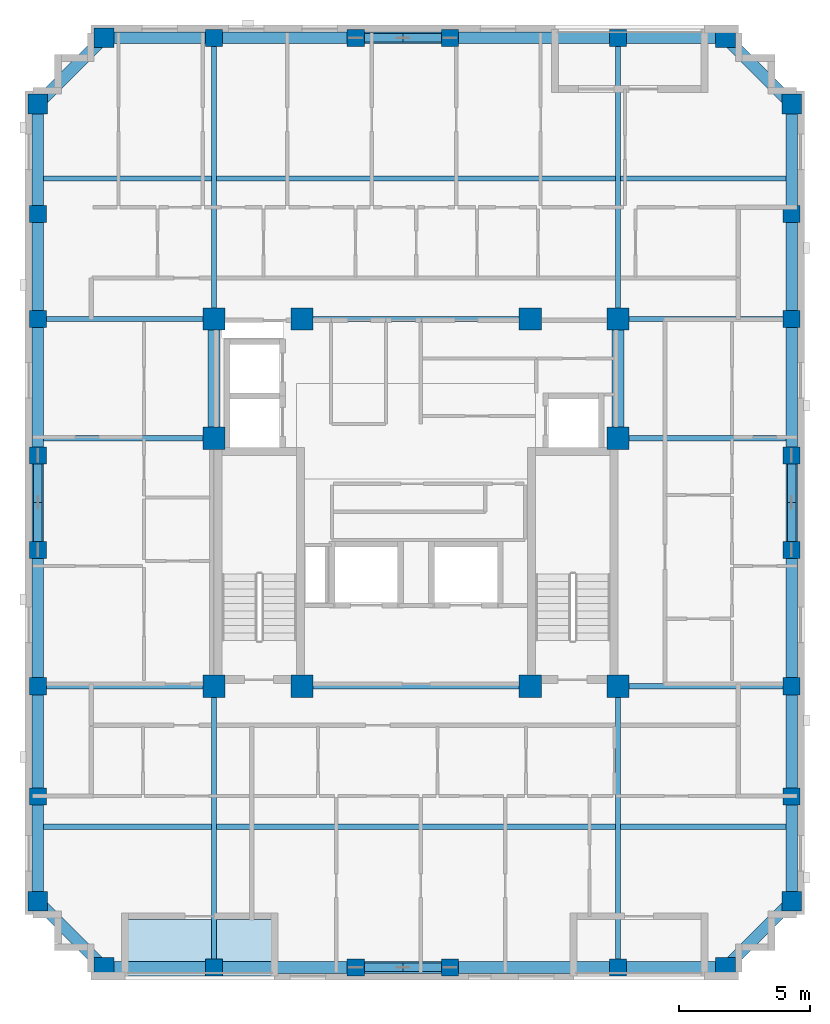
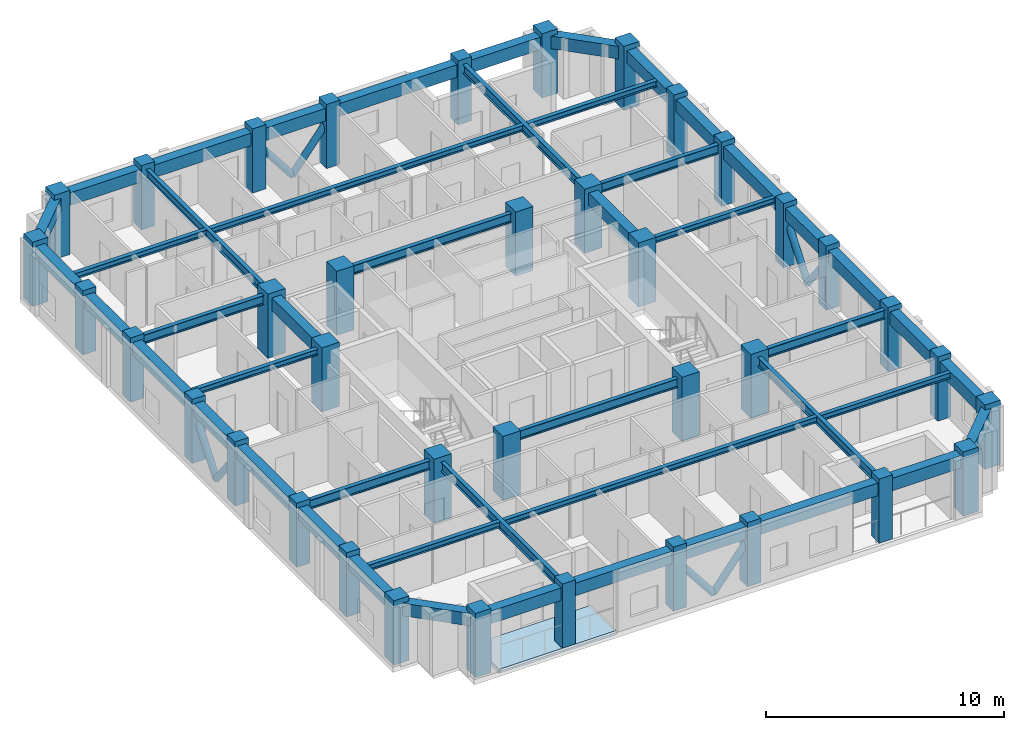
# One storey, part 1 of 11: 48 beams, 38 columns, 8 members, 1 slab.
"""IFC4 building model written with IfcOpenShell, lengths in metres."""

import ifcopenshell
import ifcopenshell.guid

model = None  # the IFC model being written
_history = None  # IfcOwnerHistory: only IFC2X3 demands one
_inside = {}  # id of a spatial element -> (the spatial element, [elements in it])
_under = {}  # id of a project, library or spatial element -> (it, [spatial elements below it])
_declared = {}  # id of a project -> (the project, [libraries it declares])
_typed = {}  # id of a type object -> (the type object, [elements of that type])
_made_of = {}  # id of a material, layer set ... -> (it, [elements and type objects made of it])


def new_model(schema):
    """Start an empty IFC model of exactly this schema.

    Asked for "IFC4X3", IfcOpenShell would pick the latest addendum, in which some entities
    have other attributes; the version numbers below select the first issue.
    IFC2X3 requires an IfcOwnerHistory on every rooted entity: one is made here for all.
    """
    global model, _history
    if schema == "IFC4X3":
        model = ifcopenshell.file(schema_version=(4, 3, 0, 0))
    else:
        model = ifcopenshell.file(schema=schema)
    _inside.clear()
    _under.clear()
    _declared.clear()
    _typed.clear()
    _made_of.clear()
    _history = None
    if model.schema == "IFC2X3":
        org = make("IfcOrganization", Name="unknown")
        user = make(
            "IfcPersonAndOrganization",
            ThePerson=make("IfcPerson", FamilyName="unknown"),
            TheOrganization=org,
        )
        app = make(
            "IfcApplication",
            ApplicationDeveloper=org,
            Version="unknown",
            ApplicationFullName="unknown",
            ApplicationIdentifier="unknown",
        )
        _history = make(
            "IfcOwnerHistory",
            OwningUser=user,
            OwningApplication=app,
            ChangeAction="ADDED",
            CreationDate=0,
        )
    return model


def make(cls, **values):
    """One entity of the class cls with the attributes given. An attribute that is None is left unset."""
    return model.create_entity(
        cls, **{name: value for name, value in values.items() if value is not None}
    )


def rooted(cls, **values):
    """An entity with a GlobalId (a new one), such as an element, a storey or a relation."""
    return make(cls, GlobalId=ifcopenshell.guid.new(), OwnerHistory=_history, **values)


def si_unit(unit_type, name, prefix=None):
    """IfcSIUnit, for example si_unit("LENGTHUNIT", "METRE", prefix="MILLI")."""
    return make("IfcSIUnit", UnitType=unit_type, Prefix=prefix, Name=name)


def derived_unit(unit_type, elements):
    """IfcDerivedUnit: a product of units, each with its exponent."""
    return make(
        "IfcDerivedUnit",
        Elements=[
            make("IfcDerivedUnitElement", Unit=unit, Exponent=power)
            for unit, power in elements
        ],
        UnitType=unit_type,
    )


def assignment(units):
    """IfcUnitAssignment: the units of a project."""
    return None if units is None else make("IfcUnitAssignment", Units=units)


def point(xyz):
    """IfcCartesianPoint."""
    return None if xyz is None else make("IfcCartesianPoint", Coordinates=xyz)


def direction(xyz):
    """IfcDirection."""
    return None if xyz is None else make("IfcDirection", DirectionRatios=xyz)


def frame(location, z_axis=None, x_axis=None):
    """IfcAxis2Placement3D, a coordinate frame: its origin and axes. An axis left out is left unset."""
    return make(
        "IfcAxis2Placement3D",
        Location=point(location),
        Axis=direction(z_axis),
        RefDirection=direction(x_axis),
    )


def frame_2d(location, x_axis=None):
    """IfcAxis2Placement2D, a coordinate frame in the plane: its origin and x axis."""
    return make(
        "IfcAxis2Placement2D", Location=point(location), RefDirection=direction(x_axis)
    )


def origin():
    """The frame at (0, 0, 0) with its axes left unset."""
    return frame((0.0, 0.0, 0.0))


def origin_2d():
    """The frame at (0, 0) in the plane with its x axis left unset."""
    return frame_2d((0.0, 0.0))


def place(relative_to, where):
    """IfcLocalPlacement: puts the frame where relative to a parent placement (None: the world)."""
    return make(
        "IfcLocalPlacement", PlacementRelTo=relative_to, RelativePlacement=where
    )


def context(
    kind, dimensions, precision=None, world=None, true_north=None, identifier=None
):
    """IfcGeometricRepresentationContext, for example the 3D "Model" context."""
    return make(
        "IfcGeometricRepresentationContext",
        ContextIdentifier=identifier,
        ContextType=kind,
        CoordinateSpaceDimension=dimensions,
        Precision=precision,
        WorldCoordinateSystem=world,
        TrueNorth=true_north,
    )


def subcontext(parent, identifier, kind, view, scale=None):
    """IfcGeometricRepresentationSubContext, for example "Body" below "Model"."""
    return make(
        "IfcGeometricRepresentationSubContext",
        ContextIdentifier=identifier,
        ContextType=kind,
        ParentContext=parent,
        TargetScale=scale,
        TargetView=view,
    )


def project(units=None, contexts=None):
    """IfcProject with its units and contexts."""
    return rooted(
        "IfcProject",
        Name="project",
        RepresentationContexts=contexts,
        UnitsInContext=assignment(units),
    )


def spatial(cls, under=None, at=None, **own):
    """A site, building, storey or space (cls), placed at a placement, below another one or the project."""
    s = rooted(cls, ObjectPlacement=at, **own)
    if under is not None:
        _under.setdefault(under.id(), (under, []))[1].append(s)
    return s


def polyline(points):
    """IfcPolyline through the points."""
    return make("IfcPolyline", Points=[point(p) for p in points])


def profile(cls, at=None, kind="AREA", **sizes):
    """A parametric profile (cls). Its sizes go by their IFC names, for example OverallWidth=200.0."""
    return make(cls, ProfileType=kind, Position=at, **sizes)


def rectangle(**sizes):
    """IfcRectangleProfileDef."""
    return profile("IfcRectangleProfileDef", **sizes)


def hollow_circle(**sizes):
    """IfcCircleHollowProfileDef."""
    return profile("IfcCircleHollowProfileDef", **sizes)


def i_section(**sizes):
    """IfcIShapeProfileDef."""
    return profile("IfcIShapeProfileDef", **sizes)


def outline(outer, holes=None, kind="AREA"):
    """IfcArbitraryClosedProfileDef: a profile drawn as a closed curve; with holes, ...WithVoids."""
    if holes is None:
        return make("IfcArbitraryClosedProfileDef", ProfileType=kind, OuterCurve=outer)
    return make(
        "IfcArbitraryProfileDefWithVoids",
        ProfileType=kind,
        OuterCurve=outer,
        InnerCurves=holes,
    )


def extrude(swept, where, along, depth):
    """IfcExtrudedAreaSolid: the profile swept, set in the frame where, extruded along a direction by depth."""
    return make(
        "IfcExtrudedAreaSolid",
        SweptArea=swept,
        Position=where,
        ExtrudedDirection=direction(along),
        Depth=depth,
    )


def shape(context_of_items, identifier, shape_type, items):
    """IfcShapeRepresentation: the items that make up one representation, for example the "Body"."""
    return make(
        "IfcShapeRepresentation",
        ContextOfItems=context_of_items,
        RepresentationIdentifier=identifier,
        RepresentationType=shape_type,
        Items=items,
    )


def material(Name=None, Category=None):
    """IfcMaterial."""
    return make("IfcMaterial", Name=Name, Category=Category)


def layer(
    of_material, thickness, ventilated=None, Name=None, Category=None, Priority=None
):
    """IfcMaterialLayer: one layer of a wall or slab, of a material (None: an air gap)."""
    return make(
        "IfcMaterialLayer",
        Material=of_material,
        LayerThickness=thickness,
        IsVentilated=ventilated,
        Name=Name,
        Category=Category,
        Priority=Priority,
    )


def layer_set(layers, Name=None):
    """IfcMaterialLayerSet."""
    return make("IfcMaterialLayerSet", MaterialLayers=layers, LayerSetName=Name)


def material_profile(
    of_material, cross_section, Name=None, Category=None, Priority=None
):
    """IfcMaterialProfile: a cross section and its material."""
    return make(
        "IfcMaterialProfile",
        Name=Name,
        Material=of_material,
        Profile=cross_section,
        Priority=Priority,
        Category=Category,
    )


def profile_set(profiles, Name=None, composite=None):
    """IfcMaterialProfileSet."""
    return make(
        "IfcMaterialProfileSet",
        Name=Name,
        MaterialProfiles=profiles,
        CompositeProfile=composite,
    )


def made_of(thing, what):
    """Note that an element or type object is made of a material, layer set ...; save() writes the relation."""
    if what is not None:
        _made_of.setdefault(what.id(), (what, []))[1].append(thing)
    return thing


def type_object(cls, material=None, **own):
    """A type object (cls), such as IfcWallType, which elements share."""
    return made_of(rooted(cls, **own), material)


def element(
    cls,
    number,
    at=None,
    inside=None,
    cuts=None,
    type_object=None,
    material=None,
    context=None,
    identifier="Body",
    shape_type=None,
    held_by="IfcProductDefinitionShape",
    body=None,
    shapes=None,
    **own,
):
    """One element of the class cls, such as IfcWall. Its Tag is "e" and its number.

    at: its placement. inside: the storey or other place that contains it. cuts: it is an
    opening in that element (IfcRelVoidsElement). A single representation is given by context,
    identifier, shape_type and body (its items); several are given by shapes. held_by: the class
    of the entity that holds the representations. save() writes the other relations.
    """
    e = rooted(cls, Tag="e%d" % number, ObjectPlacement=at, **own)
    if body is not None:
        shapes = [shape(context, identifier, shape_type, body)]
    if shapes is not None:
        e.Representation = make(held_by, Representations=shapes)
    if inside is not None:
        _inside.setdefault(inside.id(), (inside, []))[1].append(e)
    if cuts is not None:
        rooted(
            "IfcRelVoidsElement", RelatingBuildingElement=cuts, RelatedOpeningElement=e
        )
    if type_object is not None:
        _typed.setdefault(type_object.id(), (type_object, []))[1].append(e)
    return made_of(e, material)


def aggregate(whole, parts):
    """IfcRelAggregates: a whole, such as a stair, and the parts it consists of."""
    return rooted("IfcRelAggregates", RelatingObject=whole, RelatedObjects=parts)


def save(model, path):
    """Write the relations noted so far, then the file.

    IfcRelAggregates (storeys below a building ...), IfcRelContainedInSpatialStructure (elements
    in a storey), IfcRelDefinesByType, IfcRelAssociatesMaterial and IfcRelDeclares: one each for
    every whole, place, type object, material and project.
    """
    for whole, parts in _under.values():
        aggregate(whole, parts)
    for where, things in _inside.values():
        rooted(
            "IfcRelContainedInSpatialStructure",
            RelatedElements=things,
            RelatingStructure=where,
        )
    for kind, things in _typed.values():
        rooted("IfcRelDefinesByType", RelatedObjects=things, RelatingType=kind)
    for what, things in _made_of.values():
        rooted("IfcRelAssociatesMaterial", RelatedObjects=things, RelatingMaterial=what)
    for by, libraries in _declared.values():
        rooted("IfcRelDeclares", RelatingContext=by, RelatedDefinitions=libraries)
    model.write(path)


model = new_model("IFC4")

# Units and contexts
model_context = context("Model", 3, precision=1e-05, world=origin(), true_north=direction((0.0, 1.0)))
body_context = subcontext(model_context, "Body", "Model", "MODEL_VIEW")
ifc_project = project(units=[si_unit("LENGTHUNIT", "METRE"), si_unit("AREAUNIT", "SQUARE_METRE"), si_unit("VOLUMEUNIT", "CUBIC_METRE"), si_unit("PLANEANGLEUNIT", "RADIAN"), si_unit("MASSUNIT", "GRAM", prefix="KILO"), derived_unit("THERMALTRANSMITTANCEUNIT", [(si_unit("MASSUNIT", "GRAM", prefix="KILO"), 1), (si_unit("TIMEUNIT", "SECOND"), -3), (si_unit("THERMODYNAMICTEMPERATUREUNIT", "KELVIN"), -1)])], contexts=[model_context])

# Site, building, storey
site_placement = place(None, origin())
site = spatial("IfcSite", under=ifc_project, at=site_placement, CompositionType="ELEMENT")
building_placement = place(site_placement, origin())
building = spatial("IfcBuilding", under=site, at=building_placement, Name="Korrvale Station Residences", CompositionType="ELEMENT")
storey_placement = place(building_placement, frame((0.0, 0.0, 197.5)))
storey = spatial("IfcBuildingStorey", under=building, at=storey_placement, Name="L57", CompositionType="ELEMENT", Elevation=197.5)

# Columns
ifc_material_1 = material(Name="Concrete C50/60", Category="concrete")
ifc_material_profile_1 = material_profile(ifc_material_1, rectangle(XDim=0.64990234375, YDim=0.64990234375, at=origin_2d()), Name="RC650x650")
ifc_profile_set_1 = profile_set([ifc_material_profile_1], Name="Concrete C50/60")
column_type_1 = type_object("IfcColumnType", Name="COL-C-RC650x650-C5060", PredefinedType="COLUMN", material=ifc_profile_set_1)
for number, where, z_axis, x_axis, name in (
    (1, (17.800048828125, 4.280029296875, 0.0), (0.0, 0.0, 1.0), (1.0, 0.0, 0.0), "L57 Bundled-Tube South Column 02"),
    (2, (23.199951171875, 4.280029296875, 0.0), (0.0, 0.0, 1.0), (1.0, 0.0, 0.0), "L57 Bundled-Tube South Column 03"),
    (3, (26.800048828125, 4.280029296875, 0.0), (0.0, 0.0, 1.0), (1.0, 0.0, 0.0), "L57 Bundled-Tube South Column 04"),
    (4, (33.199951171875, 4.280029296875, 0.0), (0.0, 0.0, 1.0), (1.0, 0.0, 0.0), "L57 Bundled-Tube South Column 05"),
    (5, (17.800048828125, 39.719970703125, 0.0), (0.0, 0.0, 1.0), (1.0, 0.0, 0.0), "L57 Bundled-Tube North Column 08"),
    (6, (23.199951171875, 39.719970703125, 0.0), (0.0, 0.0, 1.0), (1.0, 0.0, 0.0), "L57 Bundled-Tube North Column 09"),
    (7, (26.800048828125, 39.719970703125, 0.0), (0.0, 0.0, 1.0), (1.0, 0.0, 0.0), "L57 Bundled-Tube North Column 10"),
    (8, (33.199951171875, 39.719970703125, 0.0), (0.0, 0.0, 1.0), (1.0, 0.0, 0.0), "L57 Bundled-Tube North Column 11"),
    (9, (11.080078125, 10.800048828125, 0.0), (0.0, 0.0, 1.0), (1.0, 0.0, 0.0), "L57 Bundled-Tube West Column 14"),
    (10, (11.080078125, 15.0, 0.0), (0.0, 0.0, 1.0), (1.0, 0.0, 0.0), "L57 Bundled-Tube West Column 15"),
    (11, (11.080078125, 20.199951171875, 0.0), (0.0, 0.0, 1.0), (1.0, 0.0, 0.0), "L57 Bundled-Tube West Column 16"),
    (12, (11.080078125, 23.800048828125, 0.0), (0.0, 0.0, 1.0), (1.0, 0.0, 0.0), "L57 Bundled-Tube West Column 17"),
    (13, (11.080078125, 29.0, 0.0), (0.0, 0.0, 1.0), (1.0, 0.0, 0.0), "L57 Bundled-Tube West Column 18"),
    (14, (11.080078125, 33.0, 0.0), (0.0, 0.0, 1.0), (1.0, 0.0, 0.0), "L57 Bundled-Tube West Column 19"),
    (15, (39.820068359375, 10.800048828125, 0.0), (0.0, 0.0, 1.0), (1.0, 0.0, 0.0), "L57 Bundled-Tube East Column 22"),
    (16, (39.820068359375, 15.0, 0.0), (0.0, 0.0, 1.0), (1.0, 0.0, 0.0), "L57 Bundled-Tube East Column 23"),
    (17, (39.820068359375, 20.199951171875, 0.0), (0.0, 0.0, 1.0), (1.0, 0.0, 0.0), "L57 Bundled-Tube East Column 24"),
    (18, (39.820068359375, 23.800048828125, 0.0), (0.0, 0.0, 1.0), (1.0, 0.0, 0.0), "L57 Bundled-Tube East Column 25"),
    (19, (39.820068359375, 29.0, 0.0), (0.0, 0.0, 1.0), (1.0, 0.0, 0.0), "L57 Bundled-Tube East Column 26"),
    (20, (39.820068359375, 33.0, 0.0), (0.0, 0.0, 1.0), (1.0, 0.0, 0.0), "L57 Bundled-Tube East Column 27"),
):
    element("IfcColumn", number, at=place(storey_placement, frame(where, z_axis=z_axis, x_axis=x_axis)), inside=storey, type_object=column_type_1, Name=name, PredefinedType="COLUMN", context=body_context, shape_type="SweptSolid", body=[
        extrude(rectangle(XDim=0.64990234375, YDim=0.64990234375, at=origin_2d()), origin(), (0.0, 0.0, 1.0), 3.300048828125),
    ])
ifc_material_profile_2 = material_profile(ifc_material_1, rectangle(XDim=0.75, YDim=0.75, at=origin_2d()), Name="RC750x750")
ifc_profile_set_2 = profile_set([ifc_material_profile_2], Name="Concrete C50/60")
column_type_2 = type_object("IfcColumnType", Name="COL-C-RC750x750-C5060", PredefinedType="COLUMN", material=ifc_profile_set_2)
for number, where, z_axis, x_axis, name in (
    (21, (13.60009765625, 4.280029296875, 0.0), (0.0, 0.0, 1.0), (1.0, 0.0, 0.0), "L57 Bundled-Tube South Column 01"),
    (22, (37.300048828125, 4.280029296875, 0.0), (0.0, 0.0, 1.0), (1.0, 0.0, 0.0), "L57 Bundled-Tube South Column 06"),
    (23, (13.60009765625, 39.719970703125, 0.0), (0.0, 0.0, 1.0), (1.0, 0.0, 0.0), "L57 Bundled-Tube North Column 07"),
    (24, (37.300048828125, 39.719970703125, 0.0), (0.0, 0.0, 1.0), (1.0, 0.0, 0.0), "L57 Bundled-Tube North Column 12"),
    (25, (11.080078125, 6.800048828125, 0.0), (0.0, 0.0, 1.0), (1.0, 0.0, 0.0), "L57 Bundled-Tube West Column 13"),
    (26, (11.080078125, 37.199951171875, 0.0), (0.0, 0.0, 1.0), (1.0, 0.0, 0.0), "L57 Bundled-Tube West Column 20"),
    (27, (39.820068359375, 6.800048828125, 0.0), (0.0, 0.0, 1.0), (1.0, 0.0, 0.0), "L57 Bundled-Tube East Column 21"),
    (28, (39.820068359375, 37.199951171875, 0.0), (0.0, 0.0, 1.0), (1.0, 0.0, 0.0), "L57 Bundled-Tube East Column 28"),
):
    element("IfcColumn", number, at=place(storey_placement, frame(where, z_axis=z_axis, x_axis=x_axis)), inside=storey, type_object=column_type_2, Name=name, PredefinedType="COLUMN", context=body_context, shape_type="SweptSolid", body=[
        extrude(rectangle(XDim=0.75, YDim=0.75, at=origin_2d()), origin(), (0.0, 0.0, 1.0), 3.300048828125),
    ])
ifc_material_profile_3 = material_profile(ifc_material_1, rectangle(XDim=0.85009765625, YDim=0.85009765625, at=origin_2d()), Name="RC850x850")
ifc_profile_set_3 = profile_set([ifc_material_profile_3], Name="Concrete C50/60")
column_type_3 = type_object("IfcColumnType", Name="COL-C-RC850x850-C5060", PredefinedType="COLUMN", material=ifc_profile_set_3)
for number, where, z_axis, x_axis, name in (
    (29, (17.800048828125, 15.0, 0.0), (0.0, 0.0, 1.0), (1.0, 0.0, 0.0), "L57 Core Column 01"),
    (30, (21.14990234375, 15.0, 0.0), (0.0, 0.0, 1.0), (1.0, 0.0, 0.0), "L57 Core Column 02"),
    (31, (29.85009765625, 15.0, 0.0), (0.0, 0.0, 1.0), (1.0, 0.0, 0.0), "L57 Core Column 03"),
    (32, (33.199951171875, 15.0, 0.0), (0.0, 0.0, 1.0), (1.0, 0.0, 0.0), "L57 Core Column 04"),
    (33, (17.800048828125, 29.0, 0.0), (0.0, 0.0, 1.0), (1.0, 0.0, 0.0), "L57 Core Column 05"),
    (34, (21.14990234375, 29.0, 0.0), (0.0, 0.0, 1.0), (1.0, 0.0, 0.0), "L57 Core Column 06"),
    (35, (29.85009765625, 29.0, 0.0), (0.0, 0.0, 1.0), (1.0, 0.0, 0.0), "L57 Core Column 07"),
    (36, (33.199951171875, 29.0, 0.0), (0.0, 0.0, 1.0), (1.0, 0.0, 0.0), "L57 Core Column 08"),
    (37, (17.800048828125, 24.449951171875, 0.0), (0.0, 0.0, 1.0), (1.0, 0.0, 0.0), "L57 Core Column 09"),
    (38, (33.199951171875, 24.449951171875, 0.0), (0.0, 0.0, 1.0), (1.0, 0.0, 0.0), "L57 Core Column 10"),
):
    element("IfcColumn", number, at=place(storey_placement, frame(where, z_axis=z_axis, x_axis=x_axis)), inside=storey, type_object=column_type_3, Name=name, PredefinedType="COLUMN", context=body_context, shape_type="SweptSolid", body=[
        extrude(rectangle(XDim=0.85009765625, YDim=0.85009765625, at=origin_2d()), origin(), (0.0, 0.0, 1.0), 3.300048828125),
    ])

# Beams
ifc_material_2 = material(Name="Steel S355", Category="steel")
ifc_material_profile_4 = material_profile(ifc_material_2, i_section(OverallWidth=0.194091796875, OverallDepth=0.468994140625, WebThickness=0.0126953125, FlangeThickness=0.0205078125, FilletRadius=0.01611328125, at=origin_2d()), Name="W460x106")
ifc_profile_set_4 = profile_set([ifc_material_profile_4], Name="Steel S355")
beam_type_1 = type_object("IfcBeamType", Name="BM-BM-W460x106-S355", PredefinedType="BEAM", material=ifc_profile_set_4)
for number, where, z_axis, x_axis, name in (
    (39, (17.800048828125, 4.280029296875, 2.805419921875), (0.0, 1.0, 0.0), (-1.0, 0.0, 0.0), "L57 Bundled-Tube Web Girder 01"),
    (40, (33.199951171875, 4.280029296875, 2.805419921875), (0.0, 1.0, 0.0), (-1.0, 0.0, 0.0), "L57 Bundled-Tube Web Girder 02"),
    (41, (17.800048828125, 29.0, 2.805419921875), (0.0, 1.0, 0.0), (-1.0, 0.0, 0.0), "L57 Bundled-Tube Web Girder 03"),
    (42, (33.199951171875, 29.0, 2.805419921875), (0.0, 1.0, 0.0), (-1.0, 0.0, 0.0), "L57 Bundled-Tube Web Girder 04"),
):
    element("IfcBeam", number, at=place(storey_placement, frame(where, z_axis=z_axis, x_axis=x_axis)), inside=storey, type_object=beam_type_1, Name=name, PredefinedType="BEAM", context=body_context, shape_type="SweptSolid", body=[
        extrude(i_section(OverallWidth=0.194091796875, OverallDepth=0.468994140625, WebThickness=0.0126953125, FlangeThickness=0.0205078125, FilletRadius=0.01611328125, at=origin_2d()), origin(), (0.0, 0.0, 1.0), 10.719970703125),
    ])
beam_1_placement = place(storey_placement, frame((11.080078125, 15.0, 2.805419921875), z_axis=(1.0, 0.0, 0.0), x_axis=(0.0, 1.0, 0.0)))
element("IfcBeam", 43, at=beam_1_placement, inside=storey, type_object=beam_type_1, Name="L57 Bundled-Tube Web Girder 05", PredefinedType="BEAM", context=body_context, shape_type="SweptSolid", body=[
    extrude(i_section(OverallWidth=0.194091796875, OverallDepth=0.468994140625, WebThickness=0.0126953125, FlangeThickness=0.0205078125, FilletRadius=0.01611328125, at=origin_2d()), origin(), (0.0, 0.0, 1.0), 6.719970703125),
])
beam_2_placement = place(storey_placement, frame((33.199951171875, 15.0, 2.805419921875), z_axis=(1.0, 0.0, 0.0), x_axis=(0.0, 1.0, 0.0)))
element("IfcBeam", 44, at=beam_2_placement, inside=storey, type_object=beam_type_1, Name="L57 Bundled-Tube Web Girder 06", PredefinedType="BEAM", context=body_context, shape_type="SweptSolid", body=[
    extrude(i_section(OverallWidth=0.194091796875, OverallDepth=0.468994140625, WebThickness=0.0126953125, FlangeThickness=0.0205078125, FilletRadius=0.01611328125, at=origin_2d()), origin(), (0.0, 0.0, 1.0), 6.6201171875),
])
beam_3_placement = place(storey_placement, frame((11.080078125, 29.0, 2.805419921875), z_axis=(1.0, 0.0, 0.0), x_axis=(0.0, 1.0, 0.0)))
element("IfcBeam", 45, at=beam_3_placement, inside=storey, type_object=beam_type_1, Name="L57 Bundled-Tube Web Girder 07", PredefinedType="BEAM", context=body_context, shape_type="SweptSolid", body=[
    extrude(i_section(OverallWidth=0.194091796875, OverallDepth=0.468994140625, WebThickness=0.0126953125, FlangeThickness=0.0205078125, FilletRadius=0.01611328125, at=origin_2d()), origin(), (0.0, 0.0, 1.0), 6.719970703125),
])
beam_4_placement = place(storey_placement, frame((33.199951171875, 29.0, 2.805419921875), z_axis=(1.0, 0.0, 0.0), x_axis=(0.0, 1.0, 0.0)))
element("IfcBeam", 46, at=beam_4_placement, inside=storey, type_object=beam_type_1, Name="L57 Bundled-Tube Web Girder 08", PredefinedType="BEAM", context=body_context, shape_type="SweptSolid", body=[
    extrude(i_section(OverallWidth=0.194091796875, OverallDepth=0.468994140625, WebThickness=0.0126953125, FlangeThickness=0.0205078125, FilletRadius=0.01611328125, at=origin_2d()), origin(), (0.0, 0.0, 1.0), 6.6201171875),
])
for number, where, z_axis, x_axis, name in (
    (47, (21.14990234375, 15.0, 2.805419921875), (1.0, 0.0, 0.0), (0.0, 1.0, 0.0), "L57 Bundled-Tube Web Girder 09"),
    (48, (21.14990234375, 29.0, 2.805419921875), (1.0, 0.0, 0.0), (0.0, 1.0, 0.0), "L57 Bundled-Tube Web Girder 10"),
):
    element("IfcBeam", number, at=place(storey_placement, frame(where, z_axis=z_axis, x_axis=x_axis)), inside=storey, type_object=beam_type_1, Name=name, PredefinedType="BEAM", context=body_context, shape_type="SweptSolid", body=[
        extrude(i_section(OverallWidth=0.194091796875, OverallDepth=0.468994140625, WebThickness=0.0126953125, FlangeThickness=0.0205078125, FilletRadius=0.01611328125, at=origin_2d()), origin(), (0.0, 0.0, 1.0), 8.7001953125),
    ])
ifc_material_profile_5 = material_profile(ifc_material_2, i_section(OverallWidth=0.202880859375, OverallDepth=0.302978515625, WebThickness=0.007568359375, FlangeThickness=0.01318359375, FilletRadius=0.014892578125, at=origin_2d()), Name="W310x60")
ifc_profile_set_5 = profile_set([ifc_material_profile_5], Name="Steel S355")
beam_type_2 = type_object("IfcBeamType", Name="BM-JST-W310x60-S355", PredefinedType="JOIST", material=ifc_profile_set_5)
beam_5_placement = place(storey_placement, frame((11.304931640625, 9.639892578125, 2.888427734375), z_axis=(1.0, 0.0, 0.0), x_axis=(0.0, 1.0, 0.0)))
element("IfcBeam", 49, at=beam_5_placement, inside=storey, type_object=beam_type_2, Name="L57 Floor Framing Joist 01", PredefinedType="JOIST", context=body_context, shape_type="SweptSolid", body=[
    extrude(i_section(OverallWidth=0.202880859375, OverallDepth=0.302978515625, WebThickness=0.007568359375, FlangeThickness=0.01318359375, FilletRadius=0.014892578125, at=origin_2d()), origin(), (0.0, 0.0, 1.0), 6.39794921875),
])
beam_6_placement = place(storey_placement, frame((17.89697265625, 9.639892578125, 2.888427734375), z_axis=(1.0, 0.0, 0.0), x_axis=(0.0, 1.0, 0.0)))
element("IfcBeam", 50, at=beam_6_placement, inside=storey, type_object=beam_type_2, Name="L57 Floor Framing Joist 02", PredefinedType="JOIST", context=body_context, shape_type="SweptSolid", body=[
    extrude(i_section(OverallWidth=0.202880859375, OverallDepth=0.302978515625, WebThickness=0.007568359375, FlangeThickness=0.01318359375, FilletRadius=0.014892578125, at=origin_2d()), origin(), (0.0, 0.0, 1.0), 15.2060546875),
])
beam_7_placement = place(storey_placement, frame((33.297119140625, 9.639892578125, 2.888427734375), z_axis=(1.0, 0.0, 0.0), x_axis=(0.0, 1.0, 0.0)))
element("IfcBeam", 51, at=beam_7_placement, inside=storey, type_object=beam_type_2, Name="L57 Floor Framing Joist 03", PredefinedType="JOIST", context=body_context, shape_type="SweptSolid", body=[
    extrude(i_section(OverallWidth=0.202880859375, OverallDepth=0.302978515625, WebThickness=0.007568359375, FlangeThickness=0.01318359375, FilletRadius=0.014892578125, at=origin_2d()), origin(), (0.0, 0.0, 1.0), 6.2978515625),
])
beam_8_placement = place(storey_placement, frame((11.304931640625, 34.360107421875, 2.888427734375), z_axis=(1.0, 0.0, 0.0), x_axis=(0.0, 1.0, 0.0)))
element("IfcBeam", 52, at=beam_8_placement, inside=storey, type_object=beam_type_2, Name="L57 Floor Framing Joist 04", PredefinedType="JOIST", context=body_context, shape_type="SweptSolid", body=[
    extrude(i_section(OverallWidth=0.202880859375, OverallDepth=0.302978515625, WebThickness=0.007568359375, FlangeThickness=0.01318359375, FilletRadius=0.014892578125, at=origin_2d()), origin(), (0.0, 0.0, 1.0), 6.39794921875),
])
beam_9_placement = place(storey_placement, frame((17.89697265625, 34.360107421875, 2.888427734375), z_axis=(1.0, 0.0, 0.0), x_axis=(0.0, 1.0, 0.0)))
element("IfcBeam", 53, at=beam_9_placement, inside=storey, type_object=beam_type_2, Name="L57 Floor Framing Joist 05", PredefinedType="JOIST", context=body_context, shape_type="SweptSolid", body=[
    extrude(i_section(OverallWidth=0.202880859375, OverallDepth=0.302978515625, WebThickness=0.007568359375, FlangeThickness=0.01318359375, FilletRadius=0.014892578125, at=origin_2d()), origin(), (0.0, 0.0, 1.0), 15.2060546875),
])
beam_10_placement = place(storey_placement, frame((33.297119140625, 34.360107421875, 2.888427734375), z_axis=(1.0, 0.0, 0.0), x_axis=(0.0, 1.0, 0.0)))
element("IfcBeam", 54, at=beam_10_placement, inside=storey, type_object=beam_type_2, Name="L57 Floor Framing Joist 06", PredefinedType="JOIST", context=body_context, shape_type="SweptSolid", body=[
    extrude(i_section(OverallWidth=0.202880859375, OverallDepth=0.302978515625, WebThickness=0.007568359375, FlangeThickness=0.01318359375, FilletRadius=0.014892578125, at=origin_2d()), origin(), (0.0, 0.0, 1.0), 6.2978515625),
])
beam_11_placement = place(storey_placement, frame((33.425048828125, 24.449951171875, 2.888427734375), z_axis=(1.0, 0.0, 0.0), x_axis=(0.0, 1.0, 0.0)))
element("IfcBeam", 55, at=beam_11_placement, inside=storey, type_object=beam_type_2, Name="L57 Floor Framing Joist 07", PredefinedType="JOIST", context=body_context, shape_type="SweptSolid", body=[
    extrude(i_section(OverallWidth=0.202880859375, OverallDepth=0.302978515625, WebThickness=0.007568359375, FlangeThickness=0.01318359375, FilletRadius=0.014892578125, at=origin_2d()), origin(), (0.0, 0.0, 1.0), 6.169921875),
])
beam_12_placement = place(storey_placement, frame((11.304931640625, 24.449951171875, 2.888427734375), z_axis=(1.0, 0.0, 0.0), x_axis=(0.0, 1.0, 0.0)))
element("IfcBeam", 56, at=beam_12_placement, inside=storey, type_object=beam_type_2, Name="L57 Floor Framing Joist 08", PredefinedType="JOIST", context=body_context, shape_type="SweptSolid", body=[
    extrude(i_section(OverallWidth=0.202880859375, OverallDepth=0.302978515625, WebThickness=0.007568359375, FlangeThickness=0.01318359375, FilletRadius=0.014892578125, at=origin_2d()), origin(), (0.0, 0.0, 1.0), 6.27001953125),
])
ifc_material_profile_6 = material_profile(ifc_material_1, rectangle(XDim=0.449951171875, YDim=0.64990234375, at=origin_2d()), Name="RCB450x650")
ifc_profile_set_6 = profile_set([ifc_material_profile_6], Name="Concrete C50/60")
beam_type_3 = type_object("IfcBeamType", Name="BM-LNT-RCB450x650-C5060", PredefinedType="LINTEL", material=ifc_profile_set_6)
for number, where, z_axis, x_axis, name in (
    (57, (17.800048828125, 24.449951171875, 2.715087890625), (0.0, 1.0, 0.0), (-1.0, 0.0, 0.0), "L57 Core Coupling Lintel 1"),
    (58, (33.199951171875, 24.449951171875, 2.715087890625), (0.0, 1.0, 0.0), (-1.0, 0.0, 0.0), "L57 Core Coupling Lintel 2"),
):
    element("IfcBeam", number, at=place(storey_placement, frame(where, z_axis=z_axis, x_axis=x_axis)), inside=storey, type_object=beam_type_3, Name=name, PredefinedType="LINTEL", context=body_context, shape_type="SweptSolid", body=[
        extrude(rectangle(XDim=0.449951171875, YDim=0.64990234375, at=origin_2d()), origin(), (0.0, 0.0, 1.0), 4.550048828125),
    ])
ifc_material_profile_7 = material_profile(ifc_material_1, rectangle(XDim=0.449951171875, YDim=0.64990234375, at=origin_2d()), Name="RCB450x650")
ifc_profile_set_7 = profile_set([ifc_material_profile_7], Name="Concrete C50/60")
beam_type_4 = type_object("IfcBeamType", Name="BM-SPB-RCB450x650-C5060", PredefinedType="SPANDREL", material=ifc_profile_set_7)
beam_13_placement = place(storey_placement, frame((13.60009765625, 4.280029296875, 2.715087890625), z_axis=(1.0, 0.0, 0.0), x_axis=(0.0, 1.0, 0.0)))
element("IfcBeam", 59, at=beam_13_placement, inside=storey, type_object=beam_type_4, Name="L57 South Tube Spandrel 01", PredefinedType="SPANDREL", context=body_context, shape_type="SweptSolid", body=[
    extrude(rectangle(XDim=0.449951171875, YDim=0.64990234375, at=origin_2d()), origin(), (0.0, 0.0, 1.0), 4.199951171875),
])
beam_14_placement = place(storey_placement, frame((17.800048828125, 4.280029296875, 2.715087890625), z_axis=(1.0, 0.0, 0.0), x_axis=(0.0, 1.0, 0.0)))
element("IfcBeam", 60, at=beam_14_placement, inside=storey, type_object=beam_type_4, Name="L57 South Tube Spandrel 02", PredefinedType="SPANDREL", context=body_context, shape_type="SweptSolid", body=[
    extrude(rectangle(XDim=0.449951171875, YDim=0.64990234375, at=origin_2d()), origin(), (0.0, 0.0, 1.0), 5.39990234375),
])
beam_15_placement = place(storey_placement, frame((23.199951171875, 4.280029296875, 2.715087890625), z_axis=(1.0, 0.0, 0.0), x_axis=(0.0, 1.0, 0.0)))
element("IfcBeam", 61, at=beam_15_placement, inside=storey, type_object=beam_type_4, Name="L57 South Tube Spandrel 03", PredefinedType="SPANDREL", context=body_context, shape_type="SweptSolid", body=[
    extrude(rectangle(XDim=0.449951171875, YDim=0.64990234375, at=origin_2d()), origin(), (0.0, 0.0, 1.0), 3.60009765625),
])
beam_16_placement = place(storey_placement, frame((26.800048828125, 4.280029296875, 2.715087890625), z_axis=(1.0, 0.0, 0.0), x_axis=(0.0, 1.0, 0.0)))
element("IfcBeam", 62, at=beam_16_placement, inside=storey, type_object=beam_type_4, Name="L57 South Tube Spandrel 04", PredefinedType="SPANDREL", context=body_context, shape_type="SweptSolid", body=[
    extrude(rectangle(XDim=0.449951171875, YDim=0.64990234375, at=origin_2d()), origin(), (0.0, 0.0, 1.0), 6.39990234375),
])
beam_17_placement = place(storey_placement, frame((33.199951171875, 4.280029296875, 2.715087890625), z_axis=(1.0, 0.0, 0.0), x_axis=(0.0, 1.0, 0.0)))
element("IfcBeam", 63, at=beam_17_placement, inside=storey, type_object=beam_type_4, Name="L57 South Tube Spandrel 05", PredefinedType="SPANDREL", context=body_context, shape_type="SweptSolid", body=[
    extrude(rectangle(XDim=0.449951171875, YDim=0.64990234375, at=origin_2d()), origin(), (0.0, 0.0, 1.0), 4.10009765625),
])
beam_18_placement = place(storey_placement, frame((13.60009765625, 39.719970703125, 2.715087890625), z_axis=(1.0, 0.0, 0.0), x_axis=(0.0, 1.0, 0.0)))
element("IfcBeam", 64, at=beam_18_placement, inside=storey, type_object=beam_type_4, Name="L57 North Tube Spandrel 06", PredefinedType="SPANDREL", context=body_context, shape_type="SweptSolid", body=[
    extrude(rectangle(XDim=0.449951171875, YDim=0.64990234375, at=origin_2d()), origin(), (0.0, 0.0, 1.0), 4.199951171875),
])
beam_19_placement = place(storey_placement, frame((17.800048828125, 39.719970703125, 2.715087890625), z_axis=(1.0, 0.0, 0.0), x_axis=(0.0, 1.0, 0.0)))
element("IfcBeam", 65, at=beam_19_placement, inside=storey, type_object=beam_type_4, Name="L57 North Tube Spandrel 07", PredefinedType="SPANDREL", context=body_context, shape_type="SweptSolid", body=[
    extrude(rectangle(XDim=0.449951171875, YDim=0.64990234375, at=origin_2d()), origin(), (0.0, 0.0, 1.0), 5.39990234375),
])
beam_20_placement = place(storey_placement, frame((23.199951171875, 39.719970703125, 2.715087890625), z_axis=(1.0, 0.0, 0.0), x_axis=(0.0, 1.0, 0.0)))
element("IfcBeam", 66, at=beam_20_placement, inside=storey, type_object=beam_type_4, Name="L57 North Tube Spandrel 08", PredefinedType="SPANDREL", context=body_context, shape_type="SweptSolid", body=[
    extrude(rectangle(XDim=0.449951171875, YDim=0.64990234375, at=origin_2d()), origin(), (0.0, 0.0, 1.0), 3.60009765625),
])
beam_21_placement = place(storey_placement, frame((26.800048828125, 39.719970703125, 2.715087890625), z_axis=(1.0, 0.0, 0.0), x_axis=(0.0, 1.0, 0.0)))
element("IfcBeam", 67, at=beam_21_placement, inside=storey, type_object=beam_type_4, Name="L57 North Tube Spandrel 09", PredefinedType="SPANDREL", context=body_context, shape_type="SweptSolid", body=[
    extrude(rectangle(XDim=0.449951171875, YDim=0.64990234375, at=origin_2d()), origin(), (0.0, 0.0, 1.0), 6.39990234375),
])
beam_22_placement = place(storey_placement, frame((33.199951171875, 39.719970703125, 2.715087890625), z_axis=(1.0, 0.0, 0.0), x_axis=(0.0, 1.0, 0.0)))
element("IfcBeam", 68, at=beam_22_placement, inside=storey, type_object=beam_type_4, Name="L57 North Tube Spandrel 10", PredefinedType="SPANDREL", context=body_context, shape_type="SweptSolid", body=[
    extrude(rectangle(XDim=0.449951171875, YDim=0.64990234375, at=origin_2d()), origin(), (0.0, 0.0, 1.0), 4.10009765625),
])
beam_23_placement = place(storey_placement, frame((11.080078125, 6.800048828125, 2.715087890625), z_axis=(0.0, 1.0, 0.0), x_axis=(-1.0, 0.0, 0.0)))
element("IfcBeam", 69, at=beam_23_placement, inside=storey, type_object=beam_type_4, Name="L57 West Tube Spandrel 11", PredefinedType="SPANDREL", context=body_context, shape_type="SweptSolid", body=[
    extrude(rectangle(XDim=0.449951171875, YDim=0.64990234375, at=origin_2d()), origin(), (0.0, 0.0, 1.0), 4.0),
])
beam_24_placement = place(storey_placement, frame((11.080078125, 10.800048828125, 2.715087890625), z_axis=(0.0, 1.0, 0.0), x_axis=(-1.0, 0.0, 0.0)))
element("IfcBeam", 70, at=beam_24_placement, inside=storey, type_object=beam_type_4, Name="L57 West Tube Spandrel 12", PredefinedType="SPANDREL", context=body_context, shape_type="SweptSolid", body=[
    extrude(rectangle(XDim=0.449951171875, YDim=0.64990234375, at=origin_2d()), origin(), (0.0, 0.0, 1.0), 4.199951171875),
])
beam_25_placement = place(storey_placement, frame((11.080078125, 15.0, 2.715087890625), z_axis=(0.0, 1.0, 0.0), x_axis=(-1.0, 0.0, 0.0)))
element("IfcBeam", 71, at=beam_25_placement, inside=storey, type_object=beam_type_4, Name="L57 West Tube Spandrel 13", PredefinedType="SPANDREL", context=body_context, shape_type="SweptSolid", body=[
    extrude(rectangle(XDim=0.449951171875, YDim=0.64990234375, at=origin_2d()), origin(), (0.0, 0.0, 1.0), 5.199951171875),
])
beam_26_placement = place(storey_placement, frame((11.080078125, 20.199951171875, 2.715087890625), z_axis=(0.0, 1.0, 0.0), x_axis=(-1.0, 0.0, 0.0)))
element("IfcBeam", 72, at=beam_26_placement, inside=storey, type_object=beam_type_4, Name="L57 West Tube Spandrel 14", PredefinedType="SPANDREL", context=body_context, shape_type="SweptSolid", body=[
    extrude(rectangle(XDim=0.449951171875, YDim=0.64990234375, at=origin_2d()), origin(), (0.0, 0.0, 1.0), 3.60009765625),
])
beam_27_placement = place(storey_placement, frame((11.080078125, 23.800048828125, 2.715087890625), z_axis=(0.0, 1.0, 0.0), x_axis=(-1.0, 0.0, 0.0)))
element("IfcBeam", 73, at=beam_27_placement, inside=storey, type_object=beam_type_4, Name="L57 West Tube Spandrel 15", PredefinedType="SPANDREL", context=body_context, shape_type="SweptSolid", body=[
    extrude(rectangle(XDim=0.449951171875, YDim=0.64990234375, at=origin_2d()), origin(), (0.0, 0.0, 1.0), 5.199951171875),
])
beam_28_placement = place(storey_placement, frame((11.080078125, 29.0, 2.715087890625), z_axis=(0.0, 1.0, 0.0), x_axis=(-1.0, 0.0, 0.0)))
element("IfcBeam", 74, at=beam_28_placement, inside=storey, type_object=beam_type_4, Name="L57 West Tube Spandrel 16", PredefinedType="SPANDREL", context=body_context, shape_type="SweptSolid", body=[
    extrude(rectangle(XDim=0.449951171875, YDim=0.64990234375, at=origin_2d()), origin(), (0.0, 0.0, 1.0), 4.0),
])
beam_29_placement = place(storey_placement, frame((11.080078125, 33.0, 2.715087890625), z_axis=(0.0, 1.0, 0.0), x_axis=(-1.0, 0.0, 0.0)))
element("IfcBeam", 75, at=beam_29_placement, inside=storey, type_object=beam_type_4, Name="L57 West Tube Spandrel 17", PredefinedType="SPANDREL", context=body_context, shape_type="SweptSolid", body=[
    extrude(rectangle(XDim=0.449951171875, YDim=0.64990234375, at=origin_2d()), origin(), (0.0, 0.0, 1.0), 4.199951171875),
])
beam_30_placement = place(storey_placement, frame((39.820068359375, 6.800048828125, 2.715087890625), z_axis=(0.0, 1.0, 0.0), x_axis=(-1.0, 0.0, 0.0)))
element("IfcBeam", 76, at=beam_30_placement, inside=storey, type_object=beam_type_4, Name="L57 East Tube Spandrel 18", PredefinedType="SPANDREL", context=body_context, shape_type="SweptSolid", body=[
    extrude(rectangle(XDim=0.449951171875, YDim=0.64990234375, at=origin_2d()), origin(), (0.0, 0.0, 1.0), 4.0),
])
beam_31_placement = place(storey_placement, frame((39.820068359375, 10.800048828125, 2.715087890625), z_axis=(0.0, 1.0, 0.0), x_axis=(-1.0, 0.0, 0.0)))
element("IfcBeam", 77, at=beam_31_placement, inside=storey, type_object=beam_type_4, Name="L57 East Tube Spandrel 19", PredefinedType="SPANDREL", context=body_context, shape_type="SweptSolid", body=[
    extrude(rectangle(XDim=0.449951171875, YDim=0.64990234375, at=origin_2d()), origin(), (0.0, 0.0, 1.0), 4.199951171875),
])
beam_32_placement = place(storey_placement, frame((39.820068359375, 15.0, 2.715087890625), z_axis=(0.0, 1.0, 0.0), x_axis=(-1.0, 0.0, 0.0)))
element("IfcBeam", 78, at=beam_32_placement, inside=storey, type_object=beam_type_4, Name="L57 East Tube Spandrel 20", PredefinedType="SPANDREL", context=body_context, shape_type="SweptSolid", body=[
    extrude(rectangle(XDim=0.449951171875, YDim=0.64990234375, at=origin_2d()), origin(), (0.0, 0.0, 1.0), 5.199951171875),
])
beam_33_placement = place(storey_placement, frame((39.820068359375, 20.199951171875, 2.715087890625), z_axis=(0.0, 1.0, 0.0), x_axis=(-1.0, 0.0, 0.0)))
element("IfcBeam", 79, at=beam_33_placement, inside=storey, type_object=beam_type_4, Name="L57 East Tube Spandrel 21", PredefinedType="SPANDREL", context=body_context, shape_type="SweptSolid", body=[
    extrude(rectangle(XDim=0.449951171875, YDim=0.64990234375, at=origin_2d()), origin(), (0.0, 0.0, 1.0), 3.60009765625),
])
beam_34_placement = place(storey_placement, frame((39.820068359375, 23.800048828125, 2.715087890625), z_axis=(0.0, 1.0, 0.0), x_axis=(-1.0, 0.0, 0.0)))
element("IfcBeam", 80, at=beam_34_placement, inside=storey, type_object=beam_type_4, Name="L57 East Tube Spandrel 22", PredefinedType="SPANDREL", context=body_context, shape_type="SweptSolid", body=[
    extrude(rectangle(XDim=0.449951171875, YDim=0.64990234375, at=origin_2d()), origin(), (0.0, 0.0, 1.0), 5.199951171875),
])
beam_35_placement = place(storey_placement, frame((39.820068359375, 29.0, 2.715087890625), z_axis=(0.0, 1.0, 0.0), x_axis=(-1.0, 0.0, 0.0)))
element("IfcBeam", 81, at=beam_35_placement, inside=storey, type_object=beam_type_4, Name="L57 East Tube Spandrel 23", PredefinedType="SPANDREL", context=body_context, shape_type="SweptSolid", body=[
    extrude(rectangle(XDim=0.449951171875, YDim=0.64990234375, at=origin_2d()), origin(), (0.0, 0.0, 1.0), 4.0),
])
beam_36_placement = place(storey_placement, frame((39.820068359375, 33.0, 2.715087890625), z_axis=(0.0, 1.0, 0.0), x_axis=(-1.0, 0.0, 0.0)))
element("IfcBeam", 82, at=beam_36_placement, inside=storey, type_object=beam_type_4, Name="L57 East Tube Spandrel 24", PredefinedType="SPANDREL", context=body_context, shape_type="SweptSolid", body=[
    extrude(rectangle(XDim=0.449951171875, YDim=0.64990234375, at=origin_2d()), origin(), (0.0, 0.0, 1.0), 4.199951171875),
])
for number, where, z_axis, x_axis, name in (
    (83, (13.60009765625, 4.280029296875, 2.715087890625), (-0.707106781187, 0.707106781187, 0.0), (-0.707106781187, -0.707106781187, 0.0), "L57 Serrated Corner Spandrel 25"),
    (84, (37.300048828125, 4.280029296875, 2.715087890625), (0.707106781187, 0.707106781187, 0.0), (-0.707106781187, 0.707106781187, 0.0), "L57 Serrated Corner Spandrel 26"),
    (85, (37.300048828125, 39.719970703125, 2.715087890625), (0.707106781187, -0.707106781187, 0.0), (0.707106781187, 0.707106781187, 0.0), "L57 Serrated Corner Spandrel 27"),
    (86, (13.60009765625, 39.719970703125, 2.715087890625), (-0.707106781187, -0.707106781187, 0.0), (0.707106781187, -0.707106781187, 0.0), "L57 Serrated Corner Spandrel 28"),
):
    element("IfcBeam", number, at=place(storey_placement, frame(where, z_axis=z_axis, x_axis=x_axis)), inside=storey, type_object=beam_type_4, Name=name, PredefinedType="SPANDREL", context=body_context, shape_type="SweptSolid", body=[
        extrude(rectangle(XDim=0.449951171875, YDim=0.64990234375, at=origin_2d()), origin(), (0.0, 0.0, 1.0), 3.56396484375),
    ])

# Members
ifc_material_profile_8 = material_profile(ifc_material_2, hollow_circle(Radius=0.161865234375, WallThickness=0.015869140625, at=origin_2d()), Name="HSS324x16")
ifc_profile_set_8 = profile_set([ifc_material_profile_8], Name="Steel S355")
member_type = type_object("IfcMemberType", Name="MBR-BR-HSS324x16", PredefinedType="BRACE", material=ifc_profile_set_8)
for number, where, z_axis, x_axis, name in (
    (87, (25.0, 4.280029296875, 0.02001953125), (-0.617977009695, 0.0, 0.786196168579), (0.0, -1.0, 0.0), "L57 S Perimeter Tube Wind Brace 1"),
    (88, (25.0, 4.280029296875, 0.02001953125), (0.617977009695, 0.0, 0.786196168579), (0.0, 1.0, 0.0), "L57 S Perimeter Tube Wind Brace 2"),
    (89, (25.0, 39.719970703125, 0.02001953125), (-0.617977009695, 0.0, 0.786196168579), (0.0, -1.0, 0.0), "L57 N Perimeter Tube Wind Brace 1"),
    (90, (25.0, 39.719970703125, 0.02001953125), (0.617977009695, 0.0, 0.786196168579), (0.0, 1.0, 0.0), "L57 N Perimeter Tube Wind Brace 2"),
    (91, (11.080078125, 22.0, 0.02001953125), (0.0, -0.617977009695, 0.786196168579), (1.0, 0.0, 0.0), "L57 W Perimeter Tube Wind Brace 1"),
    (92, (11.080078125, 22.0, 0.02001953125), (0.0, 0.617977009695, 0.786196168579), (-1.0, 0.0, 0.0), "L57 W Perimeter Tube Wind Brace 2"),
    (93, (39.820068359375, 22.0, 0.02001953125), (0.0, -0.617977009695, 0.786196168579), (1.0, 0.0, 0.0), "L57 E Perimeter Tube Wind Brace 1"),
    (94, (39.820068359375, 22.0, 0.02001953125), (0.0, 0.617977009695, 0.786196168579), (-1.0, 0.0, 0.0), "L57 E Perimeter Tube Wind Brace 2"),
):
    element("IfcMember", number, at=place(storey_placement, frame(where, z_axis=z_axis, x_axis=x_axis)), inside=storey, type_object=member_type, Name=name, PredefinedType="BRACE", context=body_context, shape_type="SweptSolid", body=[
        extrude(hollow_circle(Radius=0.161865234375, WallThickness=0.015869140625, at=origin_2d()), origin(), (0.0, 0.0, 1.0), 2.912841796875),
    ])

# Slab
ifc_layer = layer(ifc_material_1, 0.219970703125, Name="Concrete C50/60")
ifc_layer_set = layer_set([ifc_layer], Name="Concrete C50/60")
slab_type = type_object("IfcSlabType", Name="SLB-BAL-220", PredefinedType="FLOOR", material=ifc_layer_set)
slab_placement = place(storey_placement, frame((0.0, 0.0, -0.219970703125)))
element("IfcSlab", 95, at=slab_placement, inside=storey, type_object=slab_type, Name="L57 Recessed Loggia Balcony Slab BAL-L57-S1", PredefinedType="FLOOR", context=body_context, shape_type="SweptSolid", body=[
    extrude(outline(polyline([(14.39990234375, 3.949951171875), (20.10009765625, 3.949951171875), (20.10009765625, 6.10009765625), (14.39990234375, 6.10009765625), (14.39990234375, 3.949951171875)])), origin(), (0.0, 0.0, 1.0), 0.219970703125),
])

save(model, "model.ifc")
